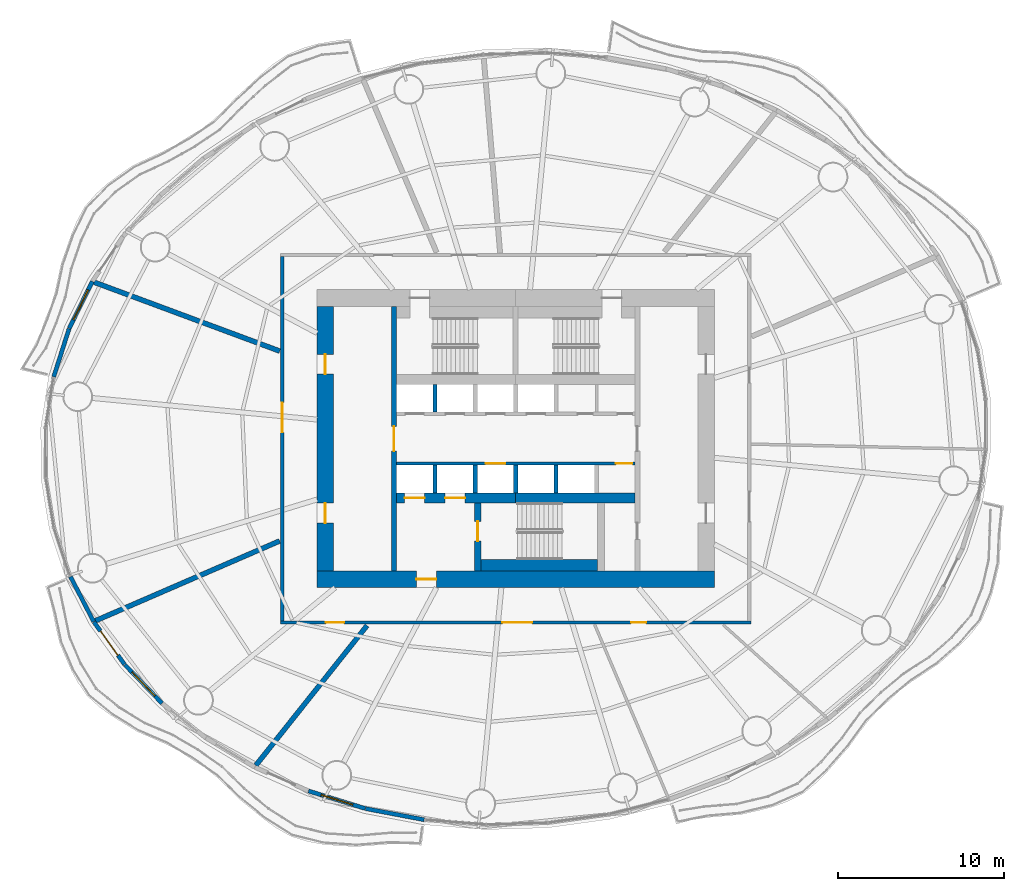
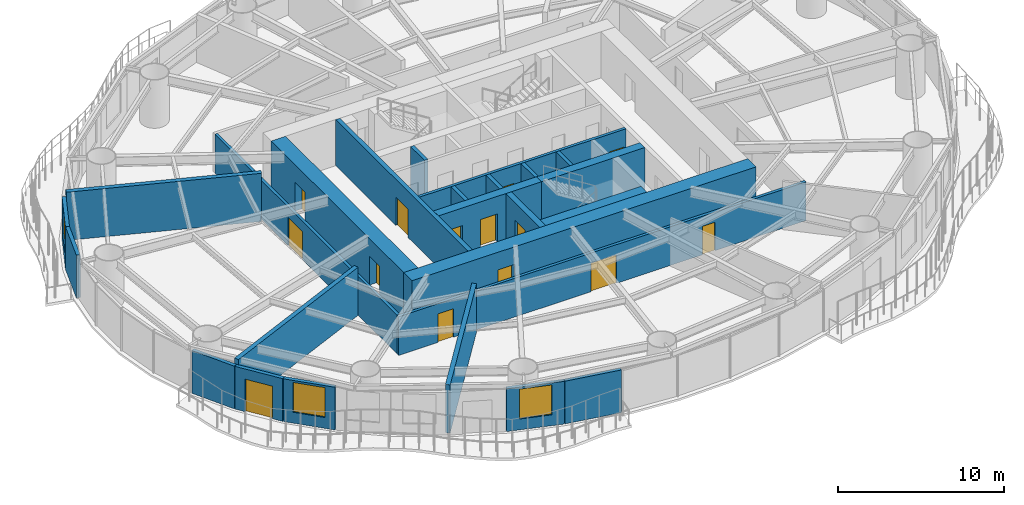
# One storey, part 8 of 17: 25 walls, 14 doors, 3 windows, 17 openings.
"""IFC4 building model written with IfcOpenShell, lengths in metres."""

from ifc_helpers import new_model, si_unit, direction, frame, frame_2d, origin, place, context, subcontext, project, spatial, rectangle, extrude, material, layer, layer_set, type_object, element, fill, save


model = new_model("IFC4")

# Units and contexts
model_context = context("Model", 3, precision=1e-05, world=origin(), true_north=direction((0.0, 1.0)))
body_context = subcontext(model_context, "Body", "Model", "MODEL_VIEW")
ifc_project = project(units=[si_unit("LENGTHUNIT", "METRE"), si_unit("AREAUNIT", "SQUARE_METRE"), si_unit("VOLUMEUNIT", "CUBIC_METRE"), si_unit("PLANEANGLEUNIT", "RADIAN"), si_unit("MASSUNIT", "GRAM", prefix="KILO")], contexts=[model_context])

# Site, building, storey
site_placement = place(None, origin())
site = spatial("IfcSite", under=ifc_project, at=site_placement, CompositionType="ELEMENT")
building_placement = place(site_placement, origin())
building = spatial("IfcBuilding", under=site, at=building_placement, Name="Vermilion Reach Broadcast Tower", CompositionType="ELEMENT")
storey_placement = place(building_placement, frame((0.0, 0.0, 54.5)))
storey = spatial("IfcBuildingStorey", under=building, at=storey_placement, Name="L10", CompositionType="ELEMENT", Elevation=54.5)

# Wall, opening, door
ifc_material_1 = material(Name="Concrete C70", Category="concrete")
ifc_layer_1 = layer(ifc_material_1, 0.300048828125)
ifc_layer_set_1 = layer_set([ifc_layer_1], Name="Core inner wall 300 mm Concrete C70")
wall_type_1 = type_object("IfcWallType", Name="Core inner wall 300 mm Concrete C70", PredefinedType="SHEAR", material=ifc_layer_set_1)
wall_1_placement = place(storey_placement, frame((-13.35009765625, 8.0, 0.0), z_axis=(0.0, 0.0, 1.0), x_axis=(0.0, -1.0, 0.0)))
wall_1 = element("IfcWall", 1, at=wall_1_placement, inside=storey, type_object=wall_type_1, Name="L10 core wall ewW", PredefinedType="SHEAR", context=body_context, shape_type="SweptSolid", body=[
    extrude(rectangle(XDim=16.0, YDim=0.300048828125, at=frame_2d((8.0, 0.0))), origin(), (0.0, 0.0, 1.0), 3.39990234375),
])
opening_1_placement = place(wall_1_placement, frame((7.25, 0.0, 0.0)))
opening_1 = element("IfcOpeningElement", 2, at=opening_1_placement, cuts=wall_1, Name="Opening D04", PredefinedType="OPENING", context=body_context, shape_type="SweptSolid", body=[
    extrude(rectangle(XDim=1.5, YDim=2.10009765625, at=frame_2d((0.75, 1.050048828125))), frame((0.0, 0.159912109375, 0.0), z_axis=(0.0, -1.0, 0.0), x_axis=(1.0, 0.0, 0.0)), (0.0, 0.0, 1.0), 0.320068359375),
])
ifc_material_2 = material(Name="Painted steel fire door", Category="steel")
door_type_1 = type_object("IfcDoorType", Name="Lift lobby door 1500 x 2100", OperationType="DOUBLE_DOOR_SINGLE_SWING", PredefinedType="NOTDEFINED", material=ifc_material_2)
door_1_placement = place(opening_1_placement, origin())
door_1 = element("IfcDoor", 3, at=door_1_placement, inside=storey, type_object=door_type_1, Name="L10 band door BW", OperationType="DOUBLE_DOOR_SINGLE_SWING", OverallHeight=2.10009765625, OverallWidth=1.5, PredefinedType="NOTDEFINED", context=body_context, shape_type="SweptSolid", body=[
    extrude(rectangle(XDim=1.5, YDim=2.10009765625, at=frame_2d((0.75, 1.050048828125))), frame((0.0, 0.02490234375, 0.0), z_axis=(0.0, -1.0, 0.0), x_axis=(1.0, 0.0, 0.0)), (0.0, 0.0, 1.0), 0.050048828125),
])
fill(opening_1, door_1)

ifc_material_3 = material(Name="Concrete C70", Category="concrete")
ifc_layer_2 = layer(ifc_material_3, 0.39990234375)
ifc_layer_set_2 = layer_set([ifc_layer_2], Name="Core inner wall 400 mm Concrete C70")
wall_type_2 = type_object("IfcWallType", Name="Core inner wall 400 mm Concrete C70", PredefinedType="SHEAR", material=ifc_layer_set_2)
wall_2_placement = place(storey_placement, frame((-8.300048828125, -3.8798828125, 0.0), z_axis=(0.0, 0.0, 1.0), x_axis=(0.0, -1.0, 0.0)))
wall_2 = element("IfcWall", 4, at=wall_2_placement, inside=storey, type_object=wall_type_2, Name="L10 core wall wa", PredefinedType="SHEAR", context=body_context, shape_type="SweptSolid", body=[
    extrude(rectangle(XDim=4.1201171875, YDim=0.39990234375, at=frame_2d((2.06005859375, 0.0))), origin(), (0.0, 0.0, 1.0), 3.39990234375),
])
opening_2_placement = place(wall_2_placement, frame((1.110107421875, 0.0, 0.0)))
opening_2 = element("IfcOpeningElement", 5, at=opening_2_placement, cuts=wall_2, Name="Opening D01", PredefinedType="OPENING", context=body_context, shape_type="SweptSolid", body=[
    extrude(rectangle(XDim=1.199951171875, YDim=2.10009765625, at=frame_2d((0.60009765625, 1.050048828125))), frame((0.0, 0.2099609375, 0.0), z_axis=(0.0, -1.0, 0.0), x_axis=(1.0, 0.0, 0.0)), (0.0, 0.0, 1.0), 0.419921875),
])
ifc_material_4 = material(Name="Painted steel fire door", Category="steel")
door_type_2 = type_object("IfcDoorType", Name="Stair door 1200 x 2100", OperationType="DOUBLE_DOOR_SINGLE_SWING", PredefinedType="NOTDEFINED", material=ifc_material_4)
door_2_placement = place(opening_2_placement, origin())
door_2 = element("IfcDoor", 6, at=door_2_placement, inside=storey, type_object=door_type_2, Name="L10 stair door ST3", OperationType="DOUBLE_DOOR_SINGLE_SWING", OverallHeight=2.10009765625, OverallWidth=1.199951171875, PredefinedType="NOTDEFINED", context=body_context, shape_type="SweptSolid", body=[
    extrude(rectangle(XDim=1.199951171875, YDim=2.10009765625, at=frame_2d((0.60009765625, 1.050048828125))), frame((0.0, 0.02490234375, 0.0), z_axis=(0.0, -1.0, 0.0), x_axis=(1.0, 0.0, 0.0)), (0.0, 0.0, 1.0), 0.050048828125),
])
fill(opening_2, door_2)

# Wall, openings, doors
ifc_material_5 = material(Name="Concrete C70", Category="concrete")
ifc_layer_3 = layer(ifc_material_5, 0.60009765625)
ifc_layer_set_3 = layer_set([ifc_layer_3], Name="Core inner wall 600 mm Concrete C70")
wall_type_3 = type_object("IfcWallType", Name="Core inner wall 600 mm Concrete C70", PredefinedType="SHEAR", material=ifc_layer_set_3)
wall_3_placement = place(storey_placement, frame((-13.199951171875, -3.580078125, 0.0), z_axis=(0.0, 0.0, 1.0), x_axis=(1.0, 0.0, 0.0)))
wall_3 = element("IfcWall", 7, at=wall_3_placement, inside=storey, type_object=wall_type_3, Name="L10 core wall wisW", PredefinedType="SHEAR", context=body_context, shape_type="SweptSolid", body=[
    extrude(rectangle(XDim=7.199951171875, YDim=0.60009765625, at=frame_2d((3.60009765625, 0.0))), origin(), (0.0, 0.0, 1.0), 3.39990234375),
])
opening_3_placement = place(wall_3_placement, frame((0.495849609375, 0.0, 0.0)))
opening_3 = element("IfcOpeningElement", 8, at=opening_3_placement, cuts=wall_3, Name="Opening LD1", PredefinedType="OPENING", context=body_context, shape_type="SweptSolid", body=[
    extrude(rectangle(XDim=1.199951171875, YDim=2.10009765625, at=frame_2d((0.60009765625, 1.050048828125))), frame((0.0, 0.31005859375, 0.0), z_axis=(0.0, -1.0, 0.0), x_axis=(1.0, 0.0, 0.0)), (0.0, 0.0, 1.0), 0.6201171875),
])
opening_4_placement = place(wall_3_placement, frame((2.9375, 0.0, 0.0)))
opening_4 = element("IfcOpeningElement", 9, at=opening_4_placement, cuts=wall_3, Name="Opening LD1", PredefinedType="OPENING", context=body_context, shape_type="SweptSolid", body=[
    extrude(rectangle(XDim=1.199951171875, YDim=2.10009765625, at=frame_2d((0.60009765625, 1.050048828125))), frame((0.0, 0.31005859375, 0.0), z_axis=(0.0, -1.0, 0.0), x_axis=(1.0, 0.0, 0.0)), (0.0, 0.0, 1.0), 0.6201171875),
])
ifc_material_6 = material(Name="Stainless steel", Category="steel")
door_type_3 = type_object("IfcDoorType", Name="Landing door 1200 x 2100", OperationType="DOUBLE_DOOR_SLIDING", PredefinedType="NOTDEFINED", material=ifc_material_6)
door_3_placement = place(opening_3_placement, origin())
door_3 = element("IfcDoor", 10, at=door_3_placement, inside=storey, type_object=door_type_3, Name="L10 landing door FF1", OperationType="DOUBLE_DOOR_SLIDING", OverallHeight=2.10009765625, OverallWidth=1.199951171875, PredefinedType="NOTDEFINED", context=body_context, shape_type="SweptSolid", body=[
    extrude(rectangle(XDim=1.199951171875, YDim=2.10009765625, at=frame_2d((0.60009765625, 1.050048828125))), frame((0.0, 0.02490234375, 0.0), z_axis=(0.0, -1.0, 0.0), x_axis=(1.0, 0.0, 0.0)), (0.0, 0.0, 1.0), 0.050048828125),
])
fill(opening_3, door_3)
door_4_placement = place(opening_4_placement, origin())
door_4 = element("IfcDoor", 11, at=door_4_placement, inside=storey, type_object=door_type_3, Name="L10 landing door FF2", OperationType="DOUBLE_DOOR_SLIDING", OverallHeight=2.10009765625, OverallWidth=1.199951171875, PredefinedType="NOTDEFINED", context=body_context, shape_type="SweptSolid", body=[
    extrude(rectangle(XDim=1.199951171875, YDim=2.10009765625, at=frame_2d((0.60009765625, 1.050048828125))), frame((0.0, 0.02490234375, 0.0), z_axis=(0.0, -1.0, 0.0), x_axis=(1.0, 0.0, 0.0)), (0.0, 0.0, 1.0), 0.050048828125),
])
fill(opening_4, door_4)

# Wall
wall_4_placement = place(storey_placement, frame((-6.0, -3.580078125, 0.0), z_axis=(0.0, 0.0, 1.0), x_axis=(1.0, 0.0, 0.0)))
element("IfcWall", 12, at=wall_4_placement, inside=storey, type_object=wall_type_3, Name="L10 core wall wisE", PredefinedType="SHEAR", context=body_context, shape_type="SweptSolid", body=[
    extrude(rectangle(XDim=7.199951171875, YDim=0.60009765625, at=frame_2d((3.60009765625, 0.0))), origin(), (0.0, 0.0, 1.0), 3.39990234375),
])

# Wall, opening, door
ifc_material_7 = material(Name="Concrete C70", Category="concrete")
ifc_layer_4 = layer(ifc_material_7, 1.0)
ifc_layer_set_4 = layer_set([ifc_layer_4], Name="Core outer wall 1000 mm Concrete C70")
wall_type_4 = type_object("IfcWallType", Name="Core outer wall 1000 mm Concrete C70", PredefinedType="SHEAR", material=ifc_layer_set_4)
wall_5_placement = place(storey_placement, frame((-18.0, -8.5, 0.0), z_axis=(0.0, 0.0, 1.0), x_axis=(1.0, 0.0, 0.0)))
wall_5 = element("IfcWall", 13, at=wall_5_placement, inside=storey, type_object=wall_type_4, Name="L10 core wall os", PredefinedType="SHEAR", context=body_context, shape_type="SweptSolid", body=[
    extrude(rectangle(XDim=24.0, YDim=1.0, at=frame_2d((12.0, 0.0))), origin(), (0.0, 0.0, 1.0), 3.39990234375),
])
opening_5_placement = place(wall_5_placement, frame((6.0, 0.0, 0.0)))
opening_5 = element("IfcOpeningElement", 14, at=opening_5_placement, cuts=wall_5, Name="Opening D02", PredefinedType="OPENING", context=body_context, shape_type="SweptSolid", body=[
    extrude(rectangle(XDim=1.199951171875, YDim=2.10009765625, at=frame_2d((0.60009765625, 1.050048828125))), frame((0.0, 0.510009765625, 0.0), z_axis=(0.0, -1.0, 0.0), x_axis=(1.0, 0.0, 0.0)), (0.0, 0.0, 1.0), 1.02001953125),
])
ifc_material_8 = material(Name="Painted steel fire door", Category="steel")
door_type_4 = type_object("IfcDoorType", Name="Firefighting lobby door 1200 x 2100", OperationType="DOUBLE_DOOR_SINGLE_SWING", PredefinedType="NOTDEFINED", material=ifc_material_8)
door_5_placement = place(opening_5_placement, origin())
door_5 = element("IfcDoor", 15, at=door_5_placement, inside=storey, type_object=door_type_4, Name="L10 ffdoor door FFL", OperationType="DOUBLE_DOOR_SINGLE_SWING", OverallHeight=2.10009765625, OverallWidth=1.199951171875, PredefinedType="NOTDEFINED", context=body_context, shape_type="SweptSolid", body=[
    extrude(rectangle(XDim=1.199951171875, YDim=2.10009765625, at=frame_2d((0.60009765625, 1.050048828125))), frame((0.0, 0.02490234375, 0.0), z_axis=(0.0, -1.0, 0.0), x_axis=(1.0, 0.0, 0.0)), (0.0, 0.0, 1.0), 0.050048828125),
])
fill(opening_5, door_5)

# Wall, openings, doors
wall_6_placement = place(storey_placement, frame((-17.5, 8.0, 0.0), z_axis=(0.0, 0.0, 1.0), x_axis=(0.0, -1.0, 0.0)))
wall_6 = element("IfcWall", 16, at=wall_6_placement, inside=storey, type_object=wall_type_4, Name="L10 core wall ow", PredefinedType="SHEAR", context=body_context, shape_type="SweptSolid", body=[
    extrude(rectangle(XDim=16.0, YDim=1.0, at=frame_2d((8.0, 0.0))), origin(), (0.0, 0.0, 1.0), 3.39990234375),
])
opening_6_placement = place(wall_6_placement, frame((11.89990234375, 0.0, 0.0)))
opening_6 = element("IfcOpeningElement", 17, at=opening_6_placement, cuts=wall_6, Name="Opening D03", PredefinedType="OPENING", context=body_context, shape_type="SweptSolid", body=[
    extrude(rectangle(XDim=1.199951171875, YDim=2.10009765625, at=frame_2d((0.60009765625, 1.050048828125))), frame((0.0, 0.510009765625, 0.0), z_axis=(0.0, -1.0, 0.0), x_axis=(1.0, 0.0, 0.0)), (0.0, 0.0, 1.0), 1.02001953125),
])
opening_7_placement = place(wall_6_placement, frame((2.89990234375, 0.0, 0.0)))
opening_7 = element("IfcOpeningElement", 18, at=opening_7_placement, cuts=wall_6, Name="Opening D03", PredefinedType="OPENING", context=body_context, shape_type="SweptSolid", body=[
    extrude(rectangle(XDim=1.199951171875, YDim=2.10009765625, at=frame_2d((0.60009765625, 1.050048828125))), frame((0.0, 0.510009765625, 0.0), z_axis=(0.0, -1.0, 0.0), x_axis=(1.0, 0.0, 0.0)), (0.0, 0.0, 1.0), 1.02001953125),
])
ifc_material_9 = material(Name="Painted steel fire door", Category="steel")
door_type_5 = type_object("IfcDoorType", Name="Core lobby door 1200 x 2100", OperationType="DOUBLE_DOOR_SINGLE_SWING", PredefinedType="NOTDEFINED", material=ifc_material_9)
door_6_placement = place(opening_6_placement, origin())
door_6 = element("IfcDoor", 19, at=door_6_placement, inside=storey, type_object=door_type_5, Name="L10 slot door W0", OperationType="DOUBLE_DOOR_SINGLE_SWING", OverallHeight=2.10009765625, OverallWidth=1.199951171875, PredefinedType="NOTDEFINED", context=body_context, shape_type="SweptSolid", body=[
    extrude(rectangle(XDim=1.199951171875, YDim=2.10009765625, at=frame_2d((0.60009765625, 1.050048828125))), frame((0.0, 0.02490234375, 0.0), z_axis=(0.0, -1.0, 0.0), x_axis=(1.0, 0.0, 0.0)), (0.0, 0.0, 1.0), 0.050048828125),
])
fill(opening_6, door_6)
door_7_placement = place(opening_7_placement, origin())
door_7 = element("IfcDoor", 20, at=door_7_placement, inside=storey, type_object=door_type_5, Name="L10 slot door W1", OperationType="DOUBLE_DOOR_SINGLE_SWING", OverallHeight=2.10009765625, OverallWidth=1.199951171875, PredefinedType="NOTDEFINED", context=body_context, shape_type="SweptSolid", body=[
    extrude(rectangle(XDim=1.199951171875, YDim=2.10009765625, at=frame_2d((0.60009765625, 1.050048828125))), frame((0.0, 0.02490234375, 0.0), z_axis=(0.0, -1.0, 0.0), x_axis=(1.0, 0.0, 0.0)), (0.0, 0.0, 1.0), 0.050048828125),
])
fill(opening_7, door_7)

ifc_material_10 = material(Name="Concrete C50", Category="concrete")
ifc_layer_5 = layer(ifc_material_10, 0.199951171875)
ifc_layer_set_5 = layer_set([ifc_layer_5], Name="Core shaft wall 200 mm Concrete C50")
wall_type_5 = type_object("IfcWallType", Name="Core shaft wall 200 mm Concrete C50", PredefinedType="SHEAR", material=ifc_layer_set_5)
wall_7_placement = place(storey_placement, frame((1.199951171875, -1.5, 0.0), z_axis=(0.0, 0.0, 1.0), x_axis=(-1.0, 0.0, 0.0)))
wall_7 = element("IfcWall", 21, at=wall_7_placement, inside=storey, type_object=wall_type_5, Name="L10 core wall fs", PredefinedType="SHEAR", context=body_context, shape_type="SweptSolid", body=[
    extrude(rectangle(XDim=14.39990234375, YDim=0.199951171875, at=frame_2d((7.199951171875, 0.0))), origin(), (0.0, 0.0, 1.0), 3.39990234375),
])
opening_8_placement = place(wall_7_placement, frame((7.82080078125, 0.0, 0.0)))
opening_8 = element("IfcOpeningElement", 22, at=opening_8_placement, cuts=wall_7, Name="Opening LD1", PredefinedType="OPENING", context=body_context, shape_type="SweptSolid", body=[
    extrude(rectangle(XDim=1.199951171875, YDim=2.10009765625, at=frame_2d((0.60009765625, 1.050048828125))), frame((0.0, 0.10986328125, 0.0), z_axis=(0.0, -1.0, 0.0), x_axis=(1.0, 0.0, 0.0)), (0.0, 0.0, 1.0), 0.219970703125),
])
opening_9_placement = place(wall_7_placement, frame((0.14990234375, 0.0, 0.0)))
opening_9 = element("IfcOpeningElement", 23, at=opening_9_placement, cuts=wall_7, Name="Opening D07", PredefinedType="OPENING", context=body_context, shape_type="SweptSolid", body=[
    extrude(rectangle(XDim=1.0, YDim=2.10009765625, at=frame_2d((0.5, 1.050048828125))), frame((0.0, 0.10986328125, 0.0), z_axis=(0.0, -1.0, 0.0), x_axis=(1.0, 0.0, 0.0)), (0.0, 0.0, 1.0), 0.219970703125),
])
ifc_material_11 = material(Name="Timber door", Category="wood")
door_type_6 = type_object("IfcDoorType", Name="Accessible WC door 1000 x 2100", OperationType="NOTDEFINED", PredefinedType="NOTDEFINED", material=ifc_material_11)
door_8_placement = place(opening_9_placement, origin())
door_8 = element("IfcDoor", 24, at=door_8_placement, inside=storey, type_object=door_type_6, Name="L10 door Accessible WC", OperationType="SINGLE_SWING_LEFT", OverallHeight=2.10009765625, OverallWidth=1.0, PredefinedType="NOTDEFINED", context=body_context, shape_type="SweptSolid", body=[
    extrude(rectangle(XDim=1.0, YDim=2.10009765625, at=frame_2d((0.5, 1.050048828125))), frame((0.0, 0.02490234375, 0.0), z_axis=(0.0, -1.0, 0.0), x_axis=(1.0, 0.0, 0.0)), (0.0, 0.0, 1.0), 0.050048828125),
])
fill(opening_9, door_8)
door_9_placement = place(opening_8_placement, origin())
door_9 = element("IfcDoor", 25, at=door_9_placement, inside=storey, type_object=door_type_3, Name="L10 landing door SV1", OperationType="DOUBLE_DOOR_SLIDING", OverallHeight=2.10009765625, OverallWidth=1.199951171875, PredefinedType="NOTDEFINED", context=body_context, shape_type="SweptSolid", body=[
    extrude(rectangle(XDim=1.199951171875, YDim=2.10009765625, at=frame_2d((0.60009765625, 1.050048828125))), frame((0.0, 0.02490234375, 0.0), z_axis=(0.0, -1.0, 0.0), x_axis=(1.0, 0.0, 0.0)), (0.0, 0.0, 1.0), 0.050048828125),
])
fill(opening_8, door_9)

# Walls
ifc_material_12 = material(Name="Concrete C50", Category="concrete")
ifc_layer_6 = layer(ifc_material_12, 0.25)
ifc_layer_set_6 = layer_set([ifc_layer_6], Name="Core shaft wall 250 mm Concrete C50")
wall_type_6 = type_object("IfcWallType", Name="Core shaft wall 250 mm Concrete C50", PredefinedType="SHEAR", material=ifc_layer_set_6)
for number, where, z_axis, x_axis, name in (
    (26, (-10.88330078125, 1.60009765625, 0.0), (0.0, 0.0, 1.0), (0.0, 1.0, 0.0), "L10 core wall psN0"),
    (27, (-10.88330078125, -1.60009765625, 0.0), (0.0, 0.0, 1.0), (0.0, -1.0, 0.0), "L10 core wall psS0"),
    (28, (-8.441650390625, -1.60009765625, 0.0), (0.0, 0.0, 1.0), (0.0, -1.0, 0.0), "L10 core wall psS1"),
    (29, (-6.0, -1.60009765625, 0.0), (0.0, 0.0, 1.0), (0.0, -1.0, 0.0), "L10 core wall psS2"),
    (30, (-3.558349609375, -1.60009765625, 0.0), (0.0, 0.0, 1.0), (0.0, -1.0, 0.0), "L10 core wall psS3"),
):
    element("IfcWall", number, at=place(storey_placement, frame(where, z_axis=z_axis, x_axis=x_axis)), inside=storey, type_object=wall_type_6, Name=name, PredefinedType="SHEAR", context=body_context, shape_type="SweptSolid", body=[
        extrude(rectangle(XDim=1.679931640625, YDim=0.25, at=frame_2d((0.83984375, 0.0))), origin(), (0.0, 0.0, 1.0), 3.39990234375),
    ])
ifc_material_13 = material(Name="Concrete C70", Category="concrete")
ifc_layer_7 = layer(ifc_material_13, 0.699951171875)
ifc_layer_set_7 = layer_set([ifc_layer_7], Name="Core stair wall 700 mm Concrete C70")
wall_type_7 = type_object("IfcWallType", Name="Core stair wall 700 mm Concrete C70", PredefinedType="SHEAR", material=ifc_layer_set_7)
wall_8_placement = place(storey_placement, frame((-8.10009765625, -7.64990234375, 0.0), z_axis=(0.0, 0.0, 1.0), x_axis=(1.0, 0.0, 0.0)))
element("IfcWall", 31, at=wall_8_placement, inside=storey, type_object=wall_type_7, Name="L10 core wall l3", PredefinedType="SHEAR", context=body_context, shape_type="SweptSolid", body=[
    extrude(rectangle(XDim=7.050048828125, YDim=0.699951171875, at=frame_2d((3.52490234375, 0.0))), origin(), (0.0, 0.0, 1.0), 3.39990234375),
])
ifc_material_14 = material(Name="Double-leaf plasterboard on isolated steel stud", Category="steel")
ifc_layer_8 = layer(ifc_material_14, 0.300048828125)
ifc_layer_set_8 = layer_set([ifc_layer_8], Name="Partition 300 acoustic double leaf")
wall_type_8 = type_object("IfcWallType", Name="Partition 300 acoustic double leaf", PredefinedType="PARTITIONING", material=ifc_layer_set_8)
wall_9_placement = place(storey_placement, frame((-31.4619140625, 9.451904296875, 0.0), z_axis=(0.0, 0.0, 1.0), x_axis=(0.937492850548, -0.348004533262, 0.0)))
element("IfcWall", 32, at=wall_9_placement, inside=storey, type_object=wall_type_8, Name="Partition 10.05", PredefinedType="PARTITIONING", context=body_context, shape_type="SweptSolid", body=[
    extrude(rectangle(XDim=11.95703125, YDim=0.300048828125, at=frame_2d((5.978515625, 0.0))), origin(), (0.0, 0.0, 1.0), 3.550048828125),
])
wall_10_placement = place(storey_placement, frame((-31.3837890625, -10.997802734375, 0.0), z_axis=(0.0, 0.0, 1.0), x_axis=(0.917576439965, 0.397559400368, 0.0)))
element("IfcWall", 33, at=wall_10_placement, inside=storey, type_object=wall_type_8, Name="Partition 10.06", PredefinedType="PARTITIONING", context=body_context, shape_type="SweptSolid", body=[
    extrude(rectangle(XDim=12.12353515625, YDim=0.300048828125, at=frame_2d((6.061767578125, 0.0))), origin(), (0.0, 0.0, 1.0), 3.550048828125),
])
wall_11_placement = place(storey_placement, frame((-21.700927734375, -19.737060546875, 0.0), z_axis=(0.0, 0.0, 1.0), x_axis=(0.622554117307, 0.782576750884, 0.0)))
element("IfcWall", 34, at=wall_11_placement, inside=storey, type_object=wall_type_8, Name="Partition 10.07", PredefinedType="PARTITIONING", context=body_context, shape_type="SweptSolid", body=[
    extrude(rectangle(XDim=10.78955078125, YDim=0.300048828125, at=frame_2d((5.394775390625, 0.0))), origin(), (0.0, 0.0, 1.0), 3.550048828125),
])

# Wall, opening, window
ifc_material_15 = material(Name="Terracotta rainscreen cladding", Category="masonry")
ifc_layer_9 = layer(ifc_material_15, 0.25)
ifc_layer_set_9 = layer_set([ifc_layer_9], Name="Terracotta rainscreen wall 250")
wall_type_9 = type_object("IfcWallType", Name="Terracotta rainscreen wall 250", PredefinedType="SOLIDWALL", material=ifc_layer_set_9)
wall_12_placement = place(storey_placement, frame((-31.575439453125, 9.50341796875, 0.0), z_axis=(0.0, 0.0, 1.0), x_axis=(-0.442106876823, -0.896962379069, 0.0)))
wall_12 = element("IfcWall", 35, at=wall_12_placement, inside=storey, type_object=wall_type_9, Name="External wall L10 20", PredefinedType="SOLIDWALL", context=body_context, shape_type="SweptSolid", body=[
    extrude(rectangle(XDim=3.159912109375, YDim=0.25, at=frame_2d((1.580078125, 0.0))), origin(), (0.0, 0.0, 1.0), 3.14990234375),
])
opening_10_placement = place(wall_12_placement, frame((0.579833984375, 0.0, 0.800048828125)))
opening_10 = element("IfcOpeningElement", 36, at=opening_10_placement, cuts=wall_12, Name="Opening W01", PredefinedType="OPENING", context=body_context, shape_type="SweptSolid", body=[
    extrude(rectangle(XDim=2.0, YDim=2.199951171875, at=frame_2d((1.0, 1.10009765625))), frame((0.0, 0.135009765625, 0.0), z_axis=(0.0, -1.0, 0.0), x_axis=(1.0, 0.0, 0.0)), (0.0, 0.0, 1.0), 0.27001953125),
])
ifc_material_16 = material(Name="Low-e laminated clear glass in aluminium frame", Category="aluminium")
window_type = type_object("IfcWindowType", Name="Punched window 2000 x 2200 sill 800", PartitioningType="SINGLE_PANEL", PredefinedType="WINDOW", material=ifc_material_16)
window_1_placement = place(opening_10_placement, origin())
window_1 = element("IfcWindow", 37, at=window_1_placement, inside=storey, type_object=window_type, Name="Window L10 20", OverallHeight=2.199951171875, OverallWidth=2.0, PartitioningType="SINGLE_PANEL", PredefinedType="WINDOW", context=body_context, shape_type="SweptSolid", body=[
    extrude(rectangle(XDim=2.0, YDim=2.199951171875, at=frame_2d((1.0, 1.10009765625))), frame((0.0, 0.030029296875, 0.0), z_axis=(0.0, -1.0, 0.0), x_axis=(1.0, 0.0, 0.0)), (0.0, 0.0, 1.0), 0.06005859375),
])
fill(opening_10, window_1)

# Walls
wall_13_placement = place(storey_placement, frame((-32.982421875, 6.64453125, 0.0), z_axis=(0.0, 0.0, 1.0), x_axis=(-0.304092753462, -0.952642428874, 0.0)))
element("IfcWall", 38, at=wall_13_placement, inside=storey, type_object=wall_type_9, Name="External wall L10 21", PredefinedType="SOLIDWALL", context=body_context, shape_type="SweptSolid", body=[
    extrude(rectangle(XDim=3.04833984375, YDim=0.25, at=frame_2d((1.524169921875, 0.0))), origin(), (0.0, 0.0, 1.0), 3.14990234375),
])
wall_14_placement = place(storey_placement, frame((-32.894775390625, -8.34228515625, 0.0), z_axis=(0.0, 0.0, 1.0), x_axis=(0.458675555217, -0.888603812194, 0.0)))
element("IfcWall", 39, at=wall_14_placement, inside=storey, type_object=wall_type_9, Name="External wall L10 26", PredefinedType="SOLIDWALL", context=body_context, shape_type="SweptSolid", body=[
    extrude(rectangle(XDim=3.048828125, YDim=0.25, at=frame_2d((1.5244140625, 0.0))), origin(), (0.0, 0.0, 1.0), 3.14990234375),
])

# Wall, opening, door
wall_15_placement = place(storey_placement, frame((-31.482421875, -11.073974609375, 0.0), z_axis=(0.0, 0.0, 1.0), x_axis=(0.585513121853, -0.810662928805, 0.0)))
wall_15 = element("IfcWall", 40, at=wall_15_placement, inside=storey, type_object=wall_type_9, Name="External wall L10 27", PredefinedType="SOLIDWALL", context=body_context, shape_type="SweptSolid", body=[
    extrude(rectangle(XDim=3.15966796875, YDim=0.25, at=frame_2d((1.579833984375, 0.0))), origin(), (0.0, 0.0, 1.0), 3.14990234375),
])
opening_11_placement = place(wall_15_placement, frame((0.679931640625, 0.0, 0.0)))
opening_11 = element("IfcOpeningElement", 41, at=opening_11_placement, cuts=wall_15, Name="Opening D70", PredefinedType="OPENING", context=body_context, shape_type="SweptSolid", body=[
    extrude(rectangle(XDim=1.800048828125, YDim=2.39990234375, at=frame_2d((0.89990234375, 1.199951171875))), frame((0.0, 0.135009765625, 0.0), z_axis=(0.0, -1.0, 0.0), x_axis=(1.0, 0.0, 0.0)), (0.0, 0.0, 1.0), 0.27001953125),
])
ifc_material_17 = material(Name="Low-e laminated clear glass in aluminium frame", Category="aluminium")
door_type_7 = type_object("IfcDoorType", Name="Balcony sliding door 1800 x 2400", OperationType="DOUBLE_DOOR_SLIDING", PredefinedType="DOOR", material=ifc_material_17)
door_10_placement = place(opening_11_placement, origin())
door_10 = element("IfcDoor", 42, at=door_10_placement, inside=storey, type_object=door_type_7, Name="Balcony door L10 run 07", OperationType="DOUBLE_DOOR_SLIDING", OverallHeight=2.39990234375, OverallWidth=1.800048828125, PredefinedType="DOOR", context=body_context, shape_type="SweptSolid", body=[
    extrude(rectangle(XDim=1.800048828125, YDim=2.39990234375, at=frame_2d((0.89990234375, 1.199951171875))), frame((0.0, 0.02490234375, 0.0), z_axis=(0.0, -1.0, 0.0), x_axis=(1.0, 0.0, 0.0)), (0.0, 0.0, 1.0), 0.050048828125),
])
fill(opening_11, door_10)

# Wall, opening, window
wall_16_placement = place(storey_placement, frame((-29.61572265625, -13.6552734375, 0.0), z_axis=(0.0, 0.0, 1.0), x_axis=(0.694577049327, -0.71941832236, 0.0)))
wall_16 = element("IfcWall", 43, at=wall_16_placement, inside=storey, type_object=wall_type_9, Name="External wall L10 28", PredefinedType="SOLIDWALL", context=body_context, shape_type="SweptSolid", body=[
    extrude(rectangle(XDim=3.2431640625, YDim=0.25, at=frame_2d((1.62158203125, 0.0))), origin(), (0.0, 0.0, 1.0), 3.14990234375),
])
opening_12_placement = place(wall_16_placement, frame((0.62158203125, 0.0, 0.800048828125)))
opening_12 = element("IfcOpeningElement", 44, at=opening_12_placement, cuts=wall_16, Name="Opening W01", PredefinedType="OPENING", context=body_context, shape_type="SweptSolid", body=[
    extrude(rectangle(XDim=2.0, YDim=2.199951171875, at=frame_2d((1.0, 1.10009765625))), frame((0.0, 0.135009765625, 0.0), z_axis=(0.0, -1.0, 0.0), x_axis=(1.0, 0.0, 0.0)), (0.0, 0.0, 1.0), 0.27001953125),
])
window_2_placement = place(opening_12_placement, origin())
window_2 = element("IfcWindow", 45, at=window_2_placement, inside=storey, type_object=window_type, Name="Window L10 28", OverallHeight=2.199951171875, OverallWidth=2.0, PartitioningType="SINGLE_PANEL", PredefinedType="WINDOW", context=body_context, shape_type="SweptSolid", body=[
    extrude(rectangle(XDim=2.0, YDim=2.199951171875, at=frame_2d((1.0, 1.10009765625))), frame((0.0, 0.030029296875, 0.0), z_axis=(0.0, -1.0, 0.0), x_axis=(1.0, 0.0, 0.0)), (0.0, 0.0, 1.0), 0.06005859375),
])
fill(opening_12, window_2)

wall_17_placement = place(storey_placement, frame((-18.51708984375, -21.282958984375, 0.0), z_axis=(0.0, 0.0, 1.0), x_axis=(0.955259328364, -0.295769531177, 0.0)))
wall_17 = element("IfcWall", 46, at=wall_17_placement, inside=storey, type_object=wall_type_9, Name="External wall L10 32", PredefinedType="SOLIDWALL", context=body_context, shape_type="SweptSolid", body=[
    extrude(rectangle(XDim=3.585693359375, YDim=0.25, at=frame_2d((1.79296875, 0.0))), origin(), (0.0, 0.0, 1.0), 3.14990234375),
])
opening_13_placement = place(wall_17_placement, frame((0.792724609375, 0.0, 0.800048828125)))
opening_13 = element("IfcOpeningElement", 47, at=opening_13_placement, cuts=wall_17, Name="Opening W01", PredefinedType="OPENING", context=body_context, shape_type="SweptSolid", body=[
    extrude(rectangle(XDim=2.0, YDim=2.199951171875, at=frame_2d((1.0, 1.10009765625))), frame((0.0, 0.135009765625, 0.0), z_axis=(0.0, -1.0, 0.0), x_axis=(1.0, 0.0, 0.0)), (0.0, 0.0, 1.0), 0.27001953125),
])
window_3_placement = place(opening_13_placement, origin())
window_3 = element("IfcWindow", 48, at=window_3_placement, inside=storey, type_object=window_type, Name="Window L10 32", OverallHeight=2.199951171875, OverallWidth=2.0, PartitioningType="SINGLE_PANEL", PredefinedType="WINDOW", context=body_context, shape_type="SweptSolid", body=[
    extrude(rectangle(XDim=2.0, YDim=2.199951171875, at=frame_2d((1.0, 1.10009765625))), frame((0.0, 0.030029296875, 0.0), z_axis=(0.0, -1.0, 0.0), x_axis=(1.0, 0.0, 0.0)), (0.0, 0.0, 1.0), 0.06005859375),
])
fill(opening_13, window_3)

# Wall
wall_18_placement = place(storey_placement, frame((-15.0703125, -22.348876953125, 0.0), z_axis=(0.0, 0.0, 1.0), x_axis=(0.982470044851, -0.186420521862, 0.0)))
element("IfcWall", 49, at=wall_18_placement, inside=storey, type_object=wall_type_9, Name="External wall L10 33", PredefinedType="SOLIDWALL", context=body_context, shape_type="SweptSolid", body=[
    extrude(rectangle(XDim=3.6015625, YDim=0.25, at=frame_2d((1.80078125, 0.0))), origin(), (0.0, 0.0, 1.0), 3.14990234375),
])

# Wall, openings, doors
ifc_material_18 = material(Name="Fire-rated gypsum board partition")
ifc_layer_10 = layer(ifc_material_18, 0.199951171875)
ifc_layer_set_10 = layer_set([ifc_layer_10], Name="Under girder: Corridor wall 200 fire-rated")
wall_type_10 = type_object("IfcWallType", Name="Under girder: Corridor wall 200 fire-rated", PredefinedType="PARTITIONING", material=ifc_layer_set_10)
wall_19_placement = place(storey_placement, frame((8.199951171875, -11.10009765625, 0.0), z_axis=(0.0, 0.0, 1.0), x_axis=(-1.0, 0.0, 0.0)))
wall_19 = element("IfcWall", 50, at=wall_19_placement, inside=storey, type_object=wall_type_10, Name="Corridor wall 10.S", PredefinedType="PARTITIONING", context=body_context, shape_type="SweptSolid", body=[
    extrude(rectangle(XDim=28.39990234375, YDim=0.199951171875, at=frame_2d((14.199951171875, 0.0))), origin(), (0.0, 0.0, 1.0), 2.85009765625),
])
opening_14_placement = place(wall_19_placement, frame((24.566650390625, 0.0, 0.0)))
opening_14 = element("IfcOpeningElement", 51, at=opening_14_placement, cuts=wall_19, Name="Opening D28", PredefinedType="OPENING", context=body_context, shape_type="SweptSolid", body=[
    extrude(rectangle(XDim=1.10009765625, YDim=2.10009765625, at=frame_2d((0.550048828125, 1.050048828125))), frame((0.0, 0.10986328125, 0.0), z_axis=(0.0, -1.0, 0.0), x_axis=(1.0, 0.0, 0.0)), (0.0, 0.0, 1.0), 0.219970703125),
])
opening_15_placement = place(wall_19_placement, frame((13.203369140625, 0.0, 0.0)))
opening_15 = element("IfcOpeningElement", 52, at=opening_15_placement, cuts=wall_19, Name="Opening D21", PredefinedType="OPENING", context=body_context, shape_type="SweptSolid", body=[
    extrude(rectangle(XDim=1.800048828125, YDim=2.10009765625, at=frame_2d((0.89990234375, 1.050048828125))), frame((0.0, 0.10986328125, 0.0), z_axis=(0.0, -1.0, 0.0), x_axis=(1.0, 0.0, 0.0)), (0.0, 0.0, 1.0), 0.219970703125),
])
opening_16_placement = place(wall_19_placement, frame((6.325439453125, 0.0, 0.0)))
opening_16 = element("IfcOpeningElement", 53, at=opening_16_placement, cuts=wall_19, Name="Opening D22", PredefinedType="OPENING", context=body_context, shape_type="SweptSolid", body=[
    extrude(rectangle(XDim=0.89990234375, YDim=2.10009765625, at=frame_2d((0.449951171875, 1.050048828125))), frame((0.0, 0.10986328125, 0.0), z_axis=(0.0, -1.0, 0.0), x_axis=(1.0, 0.0, 0.0)), (0.0, 0.0, 1.0), 0.219970703125),
])
ifc_material_19 = material(Name="Timber door leaf", Category="wood")
door_type_8 = type_object("IfcDoorType", Name="Door pair 1800x2100", OperationType="NOTDEFINED", PredefinedType="DOOR", material=ifc_material_19)
door_11_placement = place(opening_15_placement, origin())
door_11 = element("IfcDoor", 54, at=door_11_placement, inside=storey, type_object=door_type_8, Name="Door 10.07", OperationType="DOUBLE_DOOR_SINGLE_SWING", OverallHeight=2.10009765625, OverallWidth=1.800048828125, PredefinedType="DOOR", context=body_context, shape_type="SweptSolid", body=[
    extrude(rectangle(XDim=1.800048828125, YDim=2.10009765625, at=frame_2d((0.89990234375, 1.050048828125))), frame((0.0, 0.02490234375, 0.0), z_axis=(0.0, -1.0, 0.0), x_axis=(1.0, 0.0, 0.0)), (0.0, 0.0, 1.0), 0.050048828125),
])
fill(opening_15, door_11)
ifc_material_20 = material(Name="Acoustic sound-lock door leaf")
door_type_9 = type_object("IfcDoorType", Name="Door single 1100x2100", OperationType="NOTDEFINED", PredefinedType="DOOR", material=ifc_material_20)
door_12_placement = place(opening_14_placement, origin())
door_12 = element("IfcDoor", 55, at=door_12_placement, inside=storey, type_object=door_type_9, Name="Door 10.06", OperationType="SINGLE_SWING_LEFT", OverallHeight=2.10009765625, OverallWidth=1.10009765625, PredefinedType="DOOR", context=body_context, shape_type="SweptSolid", body=[
    extrude(rectangle(XDim=1.10009765625, YDim=2.10009765625, at=frame_2d((0.550048828125, 1.050048828125))), frame((0.0, 0.02490234375, 0.0), z_axis=(0.0, -1.0, 0.0), x_axis=(1.0, 0.0, 0.0)), (0.0, 0.0, 1.0), 0.050048828125),
])
fill(opening_14, door_12)
ifc_material_21 = material(Name="Timber door leaf", Category="wood")
door_type_10 = type_object("IfcDoorType", Name="Door single 900x2100", OperationType="NOTDEFINED", PredefinedType="DOOR", material=ifc_material_21)
door_13_placement = place(opening_16_placement, origin())
door_13 = element("IfcDoor", 56, at=door_13_placement, inside=storey, type_object=door_type_10, Name="Door 10.08", OperationType="SINGLE_SWING_RIGHT", OverallHeight=2.10009765625, OverallWidth=0.89990234375, PredefinedType="DOOR", context=body_context, shape_type="SweptSolid", body=[
    extrude(rectangle(XDim=0.89990234375, YDim=2.10009765625, at=frame_2d((0.449951171875, 1.050048828125))), frame((0.0, 0.02490234375, 0.0), z_axis=(0.0, -1.0, 0.0), x_axis=(1.0, 0.0, 0.0)), (0.0, 0.0, 1.0), 0.050048828125),
])
fill(opening_16, door_13)

# Wall, opening, door
wall_20_placement = place(storey_placement, frame((-20.10009765625, -11.0, 0.0), z_axis=(0.0, 0.0, 1.0), x_axis=(0.0, 1.0, 0.0)))
wall_20 = element("IfcWall", 57, at=wall_20_placement, inside=storey, type_object=wall_type_10, Name="Corridor wall 10.W", PredefinedType="PARTITIONING", context=body_context, shape_type="SweptSolid", body=[
    extrude(rectangle(XDim=22.0, YDim=0.199951171875, at=frame_2d((11.0, 0.0))), origin(), (0.0, 0.0, 1.0), 2.85009765625),
])
opening_17_placement = place(wall_20_placement, frame((11.38427734375, 0.0, 0.0)))
opening_17 = element("IfcOpeningElement", 58, at=opening_17_placement, cuts=wall_20, Name="Opening D21", PredefinedType="OPENING", context=body_context, shape_type="SweptSolid", body=[
    extrude(rectangle(XDim=1.800048828125, YDim=2.10009765625, at=frame_2d((0.89990234375, 1.050048828125))), frame((0.0, 0.10986328125, 0.0), z_axis=(0.0, -1.0, 0.0), x_axis=(1.0, 0.0, 0.0)), (0.0, 0.0, 1.0), 0.219970703125),
])
door_14_placement = place(opening_17_placement, origin())
door_14 = element("IfcDoor", 59, at=door_14_placement, inside=storey, type_object=door_type_8, Name="Door 10.05", OperationType="DOUBLE_DOOR_SINGLE_SWING", OverallHeight=2.10009765625, OverallWidth=1.800048828125, PredefinedType="DOOR", context=body_context, shape_type="SweptSolid", body=[
    extrude(rectangle(XDim=1.800048828125, YDim=2.10009765625, at=frame_2d((0.89990234375, 1.050048828125))), frame((0.0, 0.02490234375, 0.0), z_axis=(0.0, -1.0, 0.0), x_axis=(1.0, 0.0, 0.0)), (0.0, 0.0, 1.0), 0.050048828125),
])
fill(opening_17, door_14)

save(model, "model.ifc")
